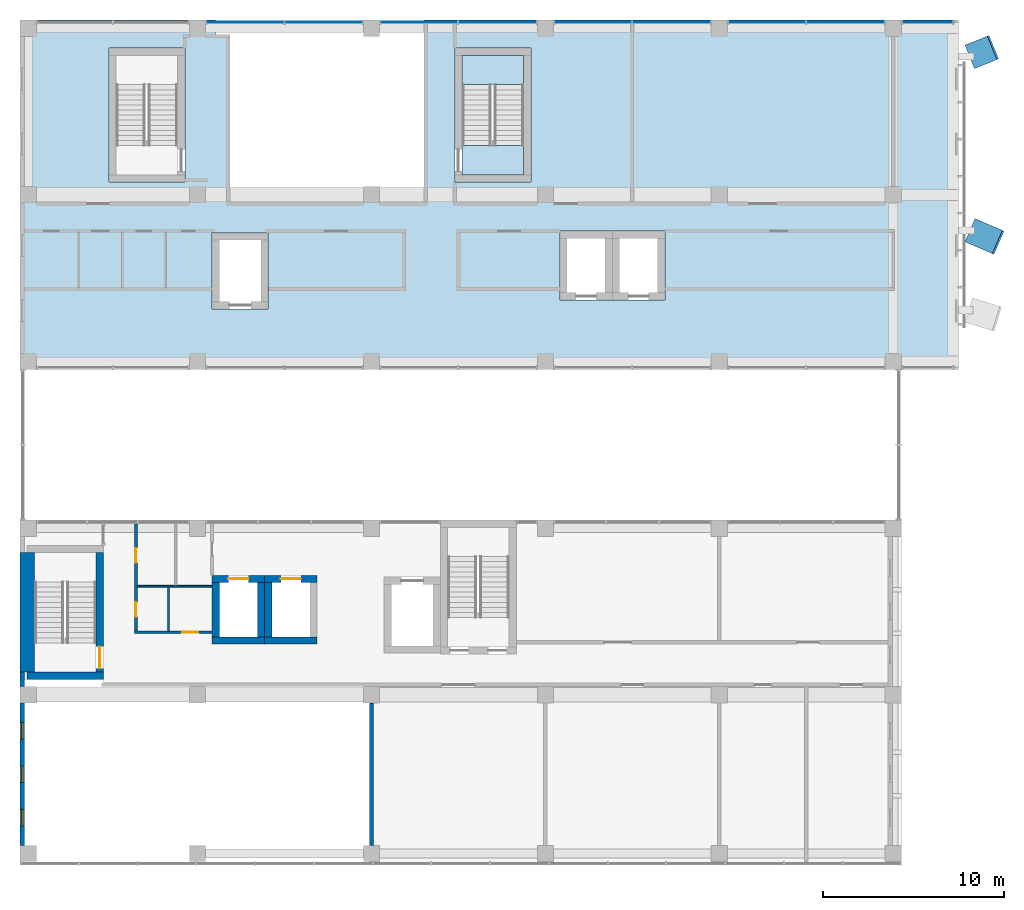
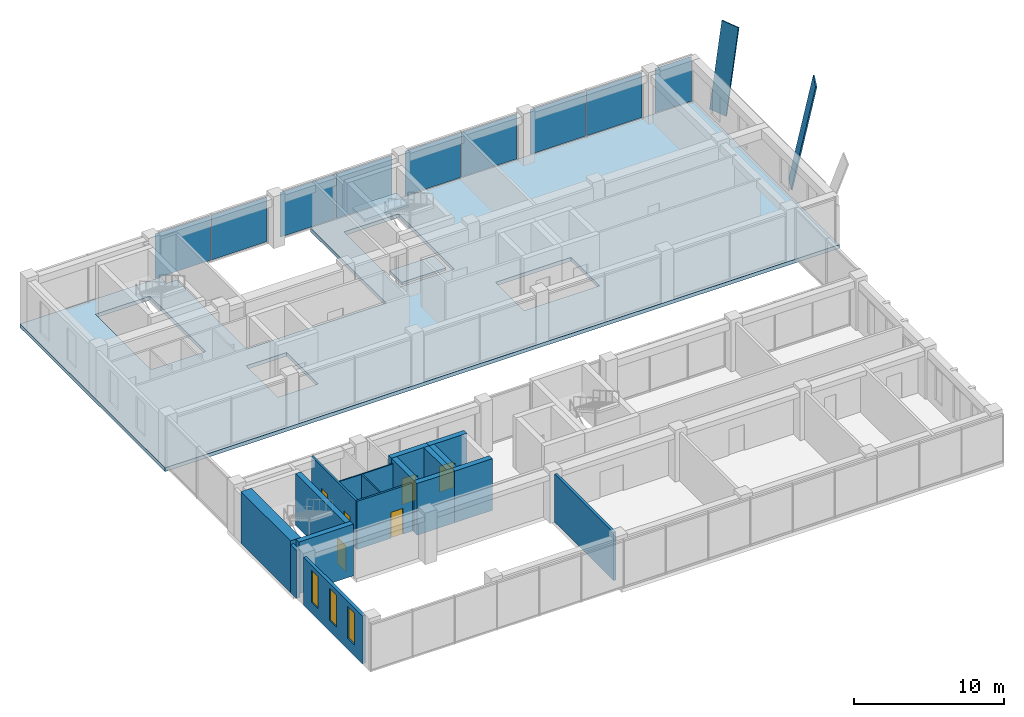
# One storey, part 27 of 37: 17 walls, 11 plates, 6 doors, 3 slabs, 3 windows, 9 openings, 6 elements without a shape of their own.
"""IFC4 building model written with IfcOpenShell, lengths in metres."""

from ifc_helpers import new_model, si_unit, direction, frame, frame_2d, origin, origin_2d, place, context, subcontext, project, spatial, polyline, rectangle, outline, extrude, material, layer, layer_set, layer_usage, material_profile, profile_set, type_object, element, fill, aggregate, save


model = new_model("IFC4")

# Units and contexts
model_context = context("Model", 3, precision=1e-05, world=origin(), true_north=direction((0.0, 1.0)))
body_context = subcontext(model_context, "Body", "Model", "MODEL_VIEW")
ifc_project = project(units=[si_unit("LENGTHUNIT", "METRE"), si_unit("AREAUNIT", "SQUARE_METRE"), si_unit("VOLUMEUNIT", "CUBIC_METRE"), si_unit("PLANEANGLEUNIT", "RADIAN"), si_unit("MASSUNIT", "GRAM", prefix="KILO")], contexts=[model_context])

# Site, building, storey
site_placement = place(None, origin())
site = spatial("IfcSite", under=ifc_project, at=site_placement, CompositionType="ELEMENT")
building_placement = place(site_placement, origin())
building = spatial("IfcBuilding", under=site, at=building_placement, Name="Nzadi Deep Aquarium and Research Tower", CompositionType="ELEMENT")
storey_placement = place(building_placement, frame((0.0, 0.0, 61.300048828125)))
storey = spatial("IfcBuildingStorey", under=building, at=storey_placement, Name="L12", CompositionType="ELEMENT", Elevation=61.300048828125)

# Plates
ifc_material_1 = material(Name="Anodised aluminium, bright", Category="aluminium")
ifc_material_profile_1 = material_profile(ifc_material_1, rectangle(XDim=1.39990234375, YDim=0.10009765625, at=origin_2d()))
ifc_profile_set_1 = profile_set([ifc_material_profile_1], Name="Anodised aluminium, bright")
plate_type_1 = type_object("IfcPlateType", Name="Fold blade anodised aluminium 1400x100, 6.6 m", PredefinedType="SHEET", material=ifc_profile_set_1)
plate_1_placement = place(storey_placement, frame((52.263427734375, 44.429931640625, 0.010009765625), z_axis=(0.187876862846, 0.076312259904, 0.979223530863), x_axis=(-0.376323223803, 0.926488440957, 0.0)))
element("IfcPlate", 1, at=plate_1_placement, inside=storey, type_object=plate_type_1, Name="FD022 fold blade EB L12", PredefinedType="SHEET", context=body_context, shape_type="SweptSolid", body=[
    extrude(rectangle(XDim=1.39990234375, YDim=0.10009765625, at=origin_2d()), origin(), (0.0, 0.0, 1.0), 6.60009765625),
])
ifc_material_2 = material(Name="Anodised aluminium, bright", Category="aluminium")
ifc_material_profile_2 = material_profile(ifc_material_2, rectangle(XDim=1.39990234375, YDim=0.10009765625, at=origin_2d()))
ifc_profile_set_2 = profile_set([ifc_material_profile_2], Name="Anodised aluminium, bright")
plate_type_2 = type_object("IfcPlateType", Name="Fold blade anodised aluminium 1400x100, 8.4 m", PredefinedType="SHEET", material=ifc_profile_set_2)
plate_2_placement = place(storey_placement, frame((52.278076171875, 34.830078125, 0.009765625), z_axis=(0.179818318194, -0.077833110736, 0.98061581637), x_axis=(0.39722859947, 0.917719695639, 0.0)))
element("IfcPlate", 2, at=plate_2_placement, inside=storey, type_object=plate_type_2, Name="FD021 fold blade EB L12", PredefinedType="SHEET", context=body_context, shape_type="SweptSolid", body=[
    extrude(rectangle(XDim=1.39990234375, YDim=0.10009765625, at=origin_2d()), origin(), (0.0, 0.0, 1.0), 8.400146484375),
])

# Curtain wall, plates
ifc_material_3 = material(Name="Aluminium unitised frame deep", Category="aluminium")
ifc_layer_1 = layer(ifc_material_3, 0.22509765625)
ifc_layer_set_1 = layer_set([ifc_layer_1], Name="Aluminium unitised frame deep")
curtain_wall_type = type_object("IfcCurtainWallType", Name="Curtain wall Unitised Deep 225", PredefinedType="NOTDEFINED", material=ifc_layer_set_1)
curtain_wall_1_placement = place(storey_placement, origin())
curtain_wall_1 = element("IfcCurtainWall", 3, at=curtain_wall_1_placement, inside=storey, type_object=curtain_wall_type, Name="Unitised curtain wall blade B north L12", PredefinedType="NOTDEFINED")
ifc_material_4 = material(Name="Glass, sage tint", Category="glass")
ifc_layer_2 = layer(ifc_material_4, 0.0400390625)
ifc_layer_set_2 = layer_set([ifc_layer_2], Name="Glass, sage tint")
plate_type_3 = type_object("IfcPlateType", Name="Glazing panel 40 Unitised Deep", PredefinedType="CURTAIN_PANEL", material=ifc_layer_set_2)
plate_3_placement = place(storey_placement, frame((12.239990234375, 46.33740234375, 0.139892578125), z_axis=(0.0, 0.0, 1.0), x_axis=(1.0, 0.0, 0.0)))
plate_3 = element("IfcPlate", 4, at=plate_3_placement, type_object=plate_type_3, Name="CW159 panel 1.1", PredefinedType="CURTAIN_PANEL", context=body_context, shape_type="SweptSolid", body=[
    extrude(rectangle(XDim=4.260009765625, YDim=0.0400390625, at=origin_2d()), origin(), (0.0, 0.0, 1.0), 3.6201171875),
])
plate_4_placement = place(storey_placement, frame((16.56005859375, 46.33740234375, 0.139892578125), z_axis=(0.0, 0.0, 1.0), x_axis=(1.0, 0.0, 0.0)))
plate_4 = element("IfcPlate", 5, at=plate_4_placement, type_object=plate_type_3, Name="CW159 panel 2.1", PredefinedType="CURTAIN_PANEL", context=body_context, shape_type="SweptSolid", body=[
    extrude(rectangle(XDim=4.260009765625, YDim=0.0400390625, at=origin_2d()), origin(), (0.0, 0.0, 1.0), 3.6201171875),
])
aggregate(curtain_wall_1, [plate_3, plate_4])

curtain_wall_2_placement = place(storey_placement, origin())
curtain_wall_2 = element("IfcCurtainWall", 6, at=curtain_wall_2_placement, inside=storey, type_object=curtain_wall_type, Name="Unitised curtain wall blade B north L12", PredefinedType="NOTDEFINED")
plate_5_placement = place(storey_placement, frame((21.840087890625, 46.33740234375, 0.139892578125), z_axis=(0.0, 0.0, 1.0), x_axis=(1.0, 0.0, 0.0)))
plate_5 = element("IfcPlate", 7, at=plate_5_placement, type_object=plate_type_3, Name="CW160 panel 1.1", PredefinedType="CURTAIN_PANEL", context=body_context, shape_type="SweptSolid", body=[
    extrude(rectangle(XDim=4.260009765625, YDim=0.0400390625, at=origin_2d()), origin(), (0.0, 0.0, 1.0), 3.6201171875),
])
plate_6_placement = place(storey_placement, frame((26.159912109375, 46.33740234375, 0.139892578125), z_axis=(0.0, 0.0, 1.0), x_axis=(1.0, 0.0, 0.0)))
plate_6 = element("IfcPlate", 8, at=plate_6_placement, type_object=plate_type_3, Name="CW160 panel 2.1", PredefinedType="CURTAIN_PANEL", context=body_context, shape_type="SweptSolid", body=[
    extrude(rectangle(XDim=4.260009765625, YDim=0.0400390625, at=origin_2d()), origin(), (0.0, 0.0, 1.0), 3.6201171875),
])
aggregate(curtain_wall_2, [plate_5, plate_6])

curtain_wall_3_placement = place(storey_placement, origin())
curtain_wall_3 = element("IfcCurtainWall", 9, at=curtain_wall_3_placement, inside=storey, type_object=curtain_wall_type, Name="Unitised curtain wall blade B north L12", PredefinedType="NOTDEFINED")
plate_7_placement = place(storey_placement, frame((31.43994140625, 46.33740234375, 0.139892578125), z_axis=(0.0, 0.0, 1.0), x_axis=(1.0, 0.0, 0.0)))
plate_7 = element("IfcPlate", 10, at=plate_7_placement, type_object=plate_type_3, Name="CW161 panel 1.1", PredefinedType="CURTAIN_PANEL", context=body_context, shape_type="SweptSolid", body=[
    extrude(rectangle(XDim=4.260009765625, YDim=0.0400390625, at=origin_2d()), origin(), (0.0, 0.0, 1.0), 3.6201171875),
])
plate_8_placement = place(storey_placement, frame((35.760009765625, 46.33740234375, 0.139892578125), z_axis=(0.0, 0.0, 1.0), x_axis=(1.0, 0.0, 0.0)))
plate_8 = element("IfcPlate", 11, at=plate_8_placement, type_object=plate_type_3, Name="CW161 panel 2.1", PredefinedType="CURTAIN_PANEL", context=body_context, shape_type="SweptSolid", body=[
    extrude(rectangle(XDim=4.260009765625, YDim=0.0400390625, at=origin_2d()), origin(), (0.0, 0.0, 1.0), 3.6201171875),
])
aggregate(curtain_wall_3, [plate_7, plate_8])

curtain_wall_4_placement = place(storey_placement, origin())
curtain_wall_4 = element("IfcCurtainWall", 12, at=curtain_wall_4_placement, inside=storey, type_object=curtain_wall_type, Name="Unitised curtain wall blade B north L12", PredefinedType="NOTDEFINED")
plate_9_placement = place(storey_placement, frame((41.0400390625, 46.33740234375, 0.139892578125), z_axis=(0.0, 0.0, 1.0), x_axis=(1.0, 0.0, 0.0)))
plate_9 = element("IfcPlate", 13, at=plate_9_placement, type_object=plate_type_3, Name="CW162 panel 1.1", PredefinedType="CURTAIN_PANEL", context=body_context, shape_type="SweptSolid", body=[
    extrude(rectangle(XDim=4.260009765625, YDim=0.0400390625, at=origin_2d()), origin(), (0.0, 0.0, 1.0), 3.6201171875),
])
plate_10_placement = place(storey_placement, frame((45.360107421875, 46.33740234375, 0.139892578125), z_axis=(0.0, 0.0, 1.0), x_axis=(1.0, 0.0, 0.0)))
plate_10 = element("IfcPlate", 14, at=plate_10_placement, type_object=plate_type_3, Name="CW162 panel 2.1", PredefinedType="CURTAIN_PANEL", context=body_context, shape_type="SweptSolid", body=[
    extrude(rectangle(XDim=4.260009765625, YDim=0.0400390625, at=origin_2d()), origin(), (0.0, 0.0, 1.0), 3.6201171875),
])
aggregate(curtain_wall_4, [plate_9, plate_10])

# Curtain wall, plate
curtain_wall_5_placement = place(storey_placement, origin())
curtain_wall_5 = element("IfcCurtainWall", 15, at=curtain_wall_5_placement, inside=storey, type_object=curtain_wall_type, Name="Unitised curtain wall blade B north L12", PredefinedType="NOTDEFINED")
plate_11_placement = place(storey_placement, frame((49.89990234375, 46.33740234375, 0.139892578125), z_axis=(0.0, 0.0, 1.0), x_axis=(1.0, 0.0, 0.0)))
plate_11 = element("IfcPlate", 16, at=plate_11_placement, type_object=plate_type_3, Name="CW163 panel 1.1", PredefinedType="CURTAIN_PANEL", context=body_context, shape_type="SweptSolid", body=[
    extrude(rectangle(XDim=2.780029296875, YDim=0.0400390625, at=origin_2d()), origin(), (0.0, 0.0, 1.0), 3.6201171875),
])
aggregate(curtain_wall_5, [plate_11])

# Stair, slabs
ifc_material_5 = material(Name="Concrete C35/45", Category="concrete")
stair_type = type_object("IfcStairType", Name="STAIR RETURN 3000", PredefinedType="NOTDEFINED", material=ifc_material_5)
stair_placement = place(storey_placement, origin())
stair = element("IfcStair", 17, at=stair_placement, inside=storey, type_object=stair_type, Name="Stair ST-Z1-NE L12", PredefinedType="HALF_TURN_STAIR")
ifc_material_6 = material(Name="Concrete C35/45", Category="concrete")
ifc_layer_3 = layer(ifc_material_6, 0.199951171875)
ifc_layer_set_3 = layer_set([ifc_layer_3], Name="Concrete C35/45")
slab_type_1 = type_object("IfcSlabType", Name="LANDING 200", PredefinedType="LANDING", material=ifc_layer_set_3)
slab_1_placement = place(storey_placement, frame((0.0, 0.0, -0.199951171875)))
slab_1 = element("IfcSlab", 18, at=slab_1_placement, type_object=slab_type_1, Name="ST-Z1-NE landing 1", PredefinedType="LANDING", context=body_context, shape_type="SweptSolid", body=[
    extrude(outline(polyline([(24.199951171875, 37.89990234375), (27.60009765625, 37.89990234375), (27.60009765625, 39.52001953125), (24.199951171875, 39.52001953125), (24.199951171875, 37.89990234375)])), origin(), (0.0, 0.0, 1.0), 0.199951171875),
])
slab_2_placement = place(storey_placement, frame((0.0, 0.0, 1.89990234375)))
slab_2 = element("IfcSlab", 19, at=slab_2_placement, type_object=slab_type_1, Name="ST-Z1-NE landing 2", PredefinedType="LANDING", context=body_context, shape_type="SweptSolid", body=[
    extrude(outline(polyline([(24.199951171875, 42.8798828125), (27.60009765625, 42.8798828125), (27.60009765625, 44.5), (24.199951171875, 44.5), (24.199951171875, 42.8798828125)])), origin(), (0.0, 0.0, 1.0), 0.199951171875),
])
aggregate(stair, [slab_1, slab_2])

# Slab
ifc_material_7 = material(Name="Concrete C35/45", Category="concrete")
ifc_layer_4 = layer(ifc_material_7, 0.300048828125)
ifc_layer_set_4 = layer_set([ifc_layer_4], Name="Concrete C35/45")
slab_type_2 = type_object("IfcSlabType", Name="RC floor slab 300", PredefinedType="FLOOR", material=ifc_layer_set_4)
slab_3_placement = place(storey_placement, frame((0.0, 0.0, -0.300048828125)))
element("IfcSlab", 20, at=slab_3_placement, inside=storey, type_object=slab_type_2, Name="Tower floor B L12", PredefinedType="FLOOR", context=body_context, shape_type="SweptSolid", body=[
    extrude(outline(polyline([(-0.199462890625, 46.449951171875), (-0.199462890625, 27.14990234375), (51.60009765625, 27.14990234375), (51.60009765625, 46.449951171875), (22.10009765625, 46.449951171875), (22.10009765625, 36.39990234375), (11.39990234375, 36.39990234375), (11.39990234375, 45.64990234375), (10.60009765625, 45.64990234375), (10.60009765625, 46.449951171875), (-0.199462890625, 46.449951171875)]), holes=[polyline([(4.699951171875, 44.89990234375), (8.89990234375, 44.89990234375), (8.89990234375, 37.5), (4.699951171875, 37.5), (4.699951171875, 44.89990234375)]), polyline([(28.0, 44.89990234375), (28.0, 37.5), (23.800048828125, 37.5), (23.800048828125, 44.89990234375), (28.0, 44.89990234375)]), polyline([(13.5, 30.5), (10.39990234375, 30.5), (10.39990234375, 34.699951171875), (13.5, 34.699951171875), (13.5, 30.5)]), polyline([(29.60009765625, 31.0), (29.60009765625, 34.800048828125), (32.5, 34.800048828125), (35.39990234375, 34.800048828125), (35.39990234375, 31.0), (32.5, 31.0), (29.60009765625, 31.0)])]), origin(), (0.0, 0.0, 1.0), 0.300048828125),
])

# Wall
ifc_material_8 = material(Name="Concrete C35/45", Category="concrete")
ifc_layer_5 = layer(ifc_material_8, 0.14990234375, Category="cladding")
ifc_material_9 = material(Name="Mineral wool insulation")
ifc_layer_6 = layer(ifc_material_9, 0.070068359375, Category="insulation")
ifc_material_10 = material(Name="Gypsum board lining")
ifc_layer_7 = layer(ifc_material_10, 0.030029296875, Category="lining")
ifc_layer_set_5 = layer_set([ifc_layer_5, ifc_layer_6, ifc_layer_7], Name="Concrete C35/45, Mineral wool insulation, Gypsum board lining")
ifc_layer_usage_1 = layer_usage(ifc_layer_set_5, "AXIS2", "POSITIVE", -0.125)
wall_type_1 = type_object("IfcWallType", Name="End wall board-formed concrete 250", PredefinedType="ELEMENTEDWALL", material=ifc_layer_set_5)
wall_1_placement = place(storey_placement, frame((-0.074462890625, 10.449951171875, 0.0), z_axis=(0.0, 0.0, 1.0), x_axis=(0.0, -1.0, 0.0)))
element("IfcWall", 21, at=wall_1_placement, inside=storey, type_object=wall_type_1, material=ifc_layer_usage_1, Name="End wall blade A west L12", PredefinedType="ELEMENTEDWALL", context=body_context, shape_type="SweptSolid", body=[
    extrude(rectangle(XDim=0.800048828125, YDim=0.25, at=frame_2d((0.39990234375, 0.0))), origin(), (0.0, 0.0, 1.0), 3.89990234375),
])

# Wall, openings, windows
ifc_material_11 = material(Name="Graphite aluminium shingle", Category="aluminium")
ifc_layer_8 = layer(ifc_material_11, 0.050048828125, Category="cladding")
ifc_layer_9 = layer(ifc_material_8, 0.10009765625, Category="cladding")
ifc_layer_10 = layer(ifc_material_9, 0.070068359375, Category="insulation")
ifc_layer_11 = layer(ifc_material_10, 0.030029296875, Category="lining")
ifc_layer_set_6 = layer_set([ifc_layer_8, ifc_layer_9, ifc_layer_10, ifc_layer_11], Name="Graphite aluminium shingle, Concrete C35/45, Mineral wool insulation, Gypsum board lining")
ifc_layer_usage_2 = layer_usage(ifc_layer_set_6, "AXIS2", "POSITIVE", -0.125)
wall_type_2 = type_object("IfcWallType", Name="End wall shingle over board-formed concrete 250", PredefinedType="ELEMENTEDWALL", material=ifc_layer_set_6)
wall_2_placement = place(storey_placement, frame((-0.074462890625, 8.75, 0.0), z_axis=(0.0, 0.0, 1.0), x_axis=(0.0, -1.0, 0.0)))
wall_2 = element("IfcWall", 22, at=wall_2_placement, inside=storey, type_object=wall_type_2, material=ifc_layer_usage_2, Name="End wall blade A west L12", PredefinedType="ELEMENTEDWALL", context=body_context, shape_type="SweptSolid", body=[
    extrude(rectangle(XDim=7.85009765625, YDim=0.25, at=frame_2d((3.925048828125, 0.0))), origin(), (0.0, 0.0, 1.0), 3.89990234375),
])
opening_1_placement = place(wall_2_placement, frame((5.875, 0.0, 0.89990234375)))
opening_1 = element("IfcOpeningElement", 23, at=opening_1_placement, cuts=wall_2, Name="Opening WN02", PredefinedType="OPENING", context=body_context, shape_type="SweptSolid", body=[
    extrude(rectangle(XDim=0.89990234375, YDim=2.60009765625, at=frame_2d((0.449951171875, 1.300048828125))), frame((0.0, 0.135009765625, 0.0), z_axis=(0.0, -1.0, 0.0), x_axis=(1.0, 0.0, 0.0)), (0.0, 0.0, 1.0), 0.27001953125),
])
opening_2_placement = place(wall_2_placement, frame((3.47509765625, 0.0, 0.89990234375)))
opening_2 = element("IfcOpeningElement", 24, at=opening_2_placement, cuts=wall_2, Name="Opening WN02", PredefinedType="OPENING", context=body_context, shape_type="SweptSolid", body=[
    extrude(rectangle(XDim=0.89990234375, YDim=2.60009765625, at=frame_2d((0.449951171875, 1.300048828125))), frame((0.0, 0.135009765625, 0.0), z_axis=(0.0, -1.0, 0.0), x_axis=(1.0, 0.0, 0.0)), (0.0, 0.0, 1.0), 0.27001953125),
])
opening_3_placement = place(wall_2_placement, frame((1.074951171875, 0.0, 0.89990234375)))
opening_3 = element("IfcOpeningElement", 25, at=opening_3_placement, cuts=wall_2, Name="Opening WN02", PredefinedType="OPENING", context=body_context, shape_type="SweptSolid", body=[
    extrude(rectangle(XDim=0.89990234375, YDim=2.60009765625, at=frame_2d((0.449951171875, 1.300048828125))), frame((0.0, 0.135009765625, 0.0), z_axis=(0.0, -1.0, 0.0), x_axis=(1.0, 0.0, 0.0)), (0.0, 0.0, 1.0), 0.27001953125),
])
ifc_material_12 = material(Name="Aluminium window, sage tint glazing", Category="aluminium")
window_type = type_object("IfcWindowType", Name="Slot window 900x2600 sill 900", PartitioningType="SINGLE_PANEL", PredefinedType="WINDOW", material=ifc_material_12)
window_1_placement = place(opening_1_placement, origin())
window_1 = element("IfcWindow", 26, at=window_1_placement, inside=storey, type_object=window_type, Name="Slot window L12 AW", OverallHeight=2.60009765625, OverallWidth=0.89990234375, PartitioningType="SINGLE_PANEL", PredefinedType="WINDOW", context=body_context, shape_type="SweptSolid", body=[
    extrude(rectangle(XDim=0.89990234375, YDim=2.60009765625, at=frame_2d((0.449951171875, 1.300048828125))), frame((0.0, 0.030029296875, 0.0), z_axis=(0.0, -1.0, 0.0), x_axis=(1.0, 0.0, 0.0)), (0.0, 0.0, 1.0), 0.06005859375),
])
fill(opening_1, window_1)
window_2_placement = place(opening_2_placement, origin())
window_2 = element("IfcWindow", 27, at=window_2_placement, inside=storey, type_object=window_type, Name="Slot window L12 AW", OverallHeight=2.60009765625, OverallWidth=0.89990234375, PartitioningType="SINGLE_PANEL", PredefinedType="WINDOW", context=body_context, shape_type="SweptSolid", body=[
    extrude(rectangle(XDim=0.89990234375, YDim=2.60009765625, at=frame_2d((0.449951171875, 1.300048828125))), frame((0.0, 0.030029296875, 0.0), z_axis=(0.0, -1.0, 0.0), x_axis=(1.0, 0.0, 0.0)), (0.0, 0.0, 1.0), 0.06005859375),
])
fill(opening_2, window_2)
window_3_placement = place(opening_3_placement, origin())
window_3 = element("IfcWindow", 28, at=window_3_placement, inside=storey, type_object=window_type, Name="Slot window L12 AW", OverallHeight=2.60009765625, OverallWidth=0.89990234375, PartitioningType="SINGLE_PANEL", PredefinedType="WINDOW", context=body_context, shape_type="SweptSolid", body=[
    extrude(rectangle(XDim=0.89990234375, YDim=2.60009765625, at=frame_2d((0.449951171875, 1.300048828125))), frame((0.0, 0.030029296875, 0.0), z_axis=(0.0, -1.0, 0.0), x_axis=(1.0, 0.0, 0.0)), (0.0, 0.0, 1.0), 0.06005859375),
])
fill(opening_3, window_3)

# Walls
ifc_material_13 = material(Name="Blockwork masonry", Category="masonry")
ifc_layer_12 = layer(ifc_material_13, 0.10009765625)
ifc_layer_set_7 = layer_set([ifc_layer_12], Name="Blockwork masonry")
wall_type_3 = type_object("IfcWallType", Name="Partition 100 EI 30", PredefinedType="PARTITIONING", material=ifc_layer_set_7)
wall_3_placement = place(storey_placement, frame((6.27490234375, 15.199951171875, 0.0), z_axis=(0.0, 0.0, 1.0), x_axis=(1.0, 0.0, 0.0)))
element("IfcWall", 29, at=wall_3_placement, inside=storey, type_object=wall_type_3, Name="W-Z1-L12-P010", PredefinedType="PARTITIONING", context=body_context, shape_type="SweptSolid", body=[
    extrude(rectangle(XDim=4.119140625, YDim=0.10009765625, at=frame_2d((2.0595703125, 0.0))), origin(), (0.0, 0.0, 1.0), 3.89990234375),
])
wall_4_placement = place(storey_placement, frame((8.0, 12.72509765625, 0.0), z_axis=(0.0, 0.0, 1.0), x_axis=(0.0, 1.0, 0.0)))
element("IfcWall", 30, at=wall_4_placement, inside=storey, type_object=wall_type_3, Name="W-Z1-L12-P012", PredefinedType="PARTITIONING", context=body_context, shape_type="SweptSolid", body=[
    extrude(rectangle(XDim=2.4248046875, YDim=0.10009765625, at=frame_2d((1.21240234375, 0.0))), origin(), (0.0, 0.0, 1.0), 3.89990234375),
])

# Wall, opening, door
ifc_material_14 = material(Name="Blockwork masonry", Category="masonry")
ifc_layer_13 = layer(ifc_material_14, 0.14990234375)
ifc_layer_set_8 = layer_set([ifc_layer_13], Name="Blockwork masonry")
wall_type_4 = type_object("IfcWallType", Name="Partition 150 EI 60", PredefinedType="PARTITIONING", material=ifc_layer_set_8)
wall_5_placement = place(storey_placement, frame((6.125, 12.64990234375, 0.0), z_axis=(0.0, 0.0, 1.0), x_axis=(1.0, 0.0, 0.0)))
wall_5 = element("IfcWall", 31, at=wall_5_placement, inside=storey, type_object=wall_type_4, Name="W-Z1-L12-P008", PredefinedType="PARTITIONING", context=body_context, shape_type="SweptSolid", body=[
    extrude(rectangle(XDim=4.26904296875, YDim=0.14990234375, at=frame_2d((2.134521484375, 0.0))), origin(), (0.0, 0.0, 1.0), 3.89990234375),
])
opening_4_placement = place(wall_5_placement, frame((2.625, 0.0, 0.0)))
opening_4 = element("IfcOpeningElement", 32, at=opening_4_placement, cuts=wall_5, Name="Opening D131003", PredefinedType="OPENING", context=body_context, shape_type="SweptSolid", body=[
    extrude(rectangle(XDim=0.89990234375, YDim=2.10009765625, at=frame_2d((0.449951171875, 1.050048828125))), frame((0.0, 0.0849609375, 0.0), z_axis=(0.0, -1.0, 0.0), x_axis=(1.0, 0.0, 0.0)), (0.0, 0.0, 1.0), 0.169921875),
])
ifc_material_15 = material(Name="Fire-rated steel door", Category="steel")
ifc_layer_14 = layer(ifc_material_15, 0.050048828125)
ifc_layer_set_9 = layer_set([ifc_layer_14], Name="Fire-rated steel door")
door_type_1 = type_object("IfcDoorType", Name="Door 900x2100 EI 60 single", OperationType="SINGLE_SWING_LEFT", PredefinedType="DOOR", material=ifc_layer_set_9)
door_1_placement = place(opening_4_placement, origin())
door_1 = element("IfcDoor", 33, at=door_1_placement, inside=storey, type_object=door_type_1, Name="D131003", OperationType="SINGLE_SWING_RIGHT", OverallHeight=2.10009765625, OverallWidth=0.89990234375, PredefinedType="DOOR", context=body_context, shape_type="SweptSolid", body=[
    extrude(rectangle(XDim=0.89990234375, YDim=2.10009765625, at=frame_2d((0.449951171875, 1.050048828125))), frame((0.0, 0.02490234375, 0.0), z_axis=(0.0, -1.0, 0.0), x_axis=(1.0, 0.0, 0.0)), (0.0, 0.0, 1.0), 0.050048828125),
])
fill(opening_4, door_1)

# Wall, openings, doors
wall_6_placement = place(storey_placement, frame((6.199951171875, 12.72509765625, 0.0), z_axis=(0.0, 0.0, 1.0), x_axis=(0.0, 1.0, 0.0)))
wall_6 = element("IfcWall", 34, at=wall_6_placement, inside=storey, type_object=wall_type_4, Name="W-Z1-L12-P009", PredefinedType="PARTITIONING", context=body_context, shape_type="SweptSolid", body=[
    extrude(rectangle(XDim=5.9189453125, YDim=0.14990234375, at=frame_2d((2.95947265625, 0.0))), origin(), (0.0, 0.0, 1.0), 3.89990234375),
])
opening_5_placement = place(wall_6_placement, frame((0.77490234375, 0.0, 0.0)))
opening_5 = element("IfcOpeningElement", 35, at=opening_5_placement, cuts=wall_6, Name="Opening D131002", PredefinedType="OPENING", context=body_context, shape_type="SweptSolid", body=[
    extrude(rectangle(XDim=0.800048828125, YDim=2.10009765625, at=frame_2d((0.39990234375, 1.050048828125))), frame((0.0, 0.0849609375, 0.0), z_axis=(0.0, -1.0, 0.0), x_axis=(1.0, 0.0, 0.0)), (0.0, 0.0, 1.0), 0.169921875),
])
opening_6_placement = place(wall_6_placement, frame((3.77490234375, 0.0, 0.0)))
opening_6 = element("IfcOpeningElement", 36, at=opening_6_placement, cuts=wall_6, Name="Opening D131004", PredefinedType="OPENING", context=body_context, shape_type="SweptSolid", body=[
    extrude(rectangle(XDim=0.800048828125, YDim=2.10009765625, at=frame_2d((0.39990234375, 1.050048828125))), frame((0.0, 0.0849609375, 0.0), z_axis=(0.0, -1.0, 0.0), x_axis=(1.0, 0.0, 0.0)), (0.0, 0.0, 1.0), 0.169921875),
])
ifc_material_16 = material(Name="Fire-rated steel door", Category="steel")
ifc_layer_15 = layer(ifc_material_16, 0.050048828125)
ifc_layer_set_10 = layer_set([ifc_layer_15], Name="Fire-rated steel door")
door_type_2 = type_object("IfcDoorType", Name="Door 800x2100 EI 60 single", OperationType="SINGLE_SWING_LEFT", PredefinedType="DOOR", material=ifc_layer_set_10)
door_2_placement = place(opening_5_placement, origin())
door_2 = element("IfcDoor", 37, at=door_2_placement, inside=storey, type_object=door_type_2, Name="D131002", OperationType="SINGLE_SWING_LEFT", OverallHeight=2.10009765625, OverallWidth=0.800048828125, PredefinedType="DOOR", context=body_context, shape_type="SweptSolid", body=[
    extrude(rectangle(XDim=0.800048828125, YDim=2.10009765625, at=frame_2d((0.39990234375, 1.050048828125))), frame((0.0, 0.02490234375, 0.0), z_axis=(0.0, -1.0, 0.0), x_axis=(1.0, 0.0, 0.0)), (0.0, 0.0, 1.0), 0.050048828125),
])
fill(opening_5, door_2)
door_3_placement = place(opening_6_placement, origin())
door_3 = element("IfcDoor", 38, at=door_3_placement, inside=storey, type_object=door_type_2, Name="D131004", OperationType="SINGLE_SWING_LEFT", OverallHeight=2.10009765625, OverallWidth=0.800048828125, PredefinedType="DOOR", context=body_context, shape_type="SweptSolid", body=[
    extrude(rectangle(XDim=0.800048828125, YDim=2.10009765625, at=frame_2d((0.39990234375, 1.050048828125))), frame((0.0, 0.02490234375, 0.0), z_axis=(0.0, -1.0, 0.0), x_axis=(1.0, 0.0, 0.0)), (0.0, 0.0, 1.0), 0.050048828125),
])
fill(opening_6, door_3)

# Walls
ifc_material_17 = material(Name="Blockwork masonry", Category="masonry")
ifc_layer_16 = layer(ifc_material_17, 0.199951171875)
ifc_layer_set_11 = layer_set([ifc_layer_16], Name="Blockwork masonry")
wall_type_5 = type_object("IfcWallType", Name="Partition 200 EI 120", PredefinedType="PARTITIONING", material=ifc_layer_set_11)
wall_7_placement = place(storey_placement, frame((19.199951171875, 0.89990234375, 0.0), z_axis=(0.0, 0.0, 1.0), x_axis=(0.0, 1.0, 0.0)))
element("IfcWall", 39, at=wall_7_placement, inside=storey, type_object=wall_type_5, Name="W-Z1-L12-P023", PredefinedType="PARTITIONING", context=body_context, shape_type="SweptSolid", body=[
    extrude(rectangle(XDim=7.85009765625, YDim=0.199951171875, at=frame_2d((3.925048828125, 0.0))), origin(), (0.0, 0.0, 1.0), 3.89990234375),
])
ifc_material_18 = material(Name="Concrete C35/45", Category="concrete")
ifc_layer_17 = layer(ifc_material_18, 0.39990234375)
ifc_layer_set_12 = layer_set([ifc_layer_17], Name="Concrete C35/45")
wall_type_6 = type_object("IfcWallType", Name="RC core wall 400", PredefinedType="SHEAR", material=ifc_layer_set_12)
wall_8_placement = place(storey_placement, frame((0.199951171875, 10.25, 0.0), z_axis=(0.0, 0.0, 1.0), x_axis=(1.0, 0.0, 0.0)))
element("IfcWall", 40, at=wall_8_placement, inside=storey, type_object=wall_type_6, Name="W-CORE-ST-Z1-SW-L12-S", PredefinedType="SHEAR", context=body_context, shape_type="SweptSolid", body=[
    extrude(rectangle(XDim=4.199951171875, YDim=0.39990234375, at=frame_2d((2.10009765625, 0.0))), origin(), (0.0, 0.0, 1.0), 4.199951171875),
])

# Wall, opening, door
wall_9_placement = place(storey_placement, frame((4.199951171875, 10.449951171875, 0.0), z_axis=(0.0, 0.0, 1.0), x_axis=(0.0, 1.0, 0.0)))
wall_9 = element("IfcWall", 41, at=wall_9_placement, inside=storey, type_object=wall_type_6, Name="W-CORE-ST-Z1-SW-L12-E", PredefinedType="SHEAR", context=body_context, shape_type="SweptSolid", body=[
    extrude(rectangle(XDim=6.60009765625, YDim=0.39990234375, at=frame_2d((3.300048828125, 0.0))), origin(), (0.0, 0.0, 1.0), 4.199951171875),
])
opening_7_placement = place(wall_9_placement, frame((0.2099609375, 0.0, 0.0)))
opening_7 = element("IfcOpeningElement", 42, at=opening_7_placement, cuts=wall_9, Name="Opening DS-Z1-SW-L12", PredefinedType="OPENING", context=body_context, shape_type="SweptSolid", body=[
    extrude(rectangle(XDim=1.199951171875, YDim=2.10009765625, at=frame_2d((0.60009765625, 1.050048828125))), frame((0.0, 0.2099609375, 0.0), z_axis=(0.0, -1.0, 0.0), x_axis=(1.0, 0.0, 0.0)), (0.0, 0.0, 1.0), 0.419921875),
])
ifc_material_19 = material(Name="Steel, powder coated", Category="steel")
door_type_3 = type_object("IfcDoorType", Name="STAIR DOOR 1200x2100 EI 60", OperationType="SINGLE_SWING_LEFT", PredefinedType="DOOR", material=ifc_material_19)
door_4_placement = place(opening_7_placement, origin())
door_4 = element("IfcDoor", 43, at=door_4_placement, inside=storey, type_object=door_type_3, Name="Stair door ST-Z1-SW L12", OperationType="SINGLE_SWING_RIGHT", OverallHeight=2.10009765625, OverallWidth=1.199951171875, PredefinedType="DOOR", context=body_context, shape_type="SweptSolid", body=[
    extrude(rectangle(XDim=1.199951171875, YDim=2.10009765625, at=frame_2d((0.60009765625, 1.050048828125))), frame((0.0, 0.02490234375, 0.0), z_axis=(0.0, -1.0, 0.0), x_axis=(1.0, 0.0, 0.0)), (0.0, 0.0, 1.0), 0.050048828125),
])
fill(opening_7, door_4)

# Wall
wall_10_placement = place(storey_placement, frame((10.39990234375, 12.199951171875, 0.0), z_axis=(0.0, 0.0, 1.0), x_axis=(1.0, 0.0, 0.0)))
element("IfcWall", 44, at=wall_10_placement, inside=storey, type_object=wall_type_6, Name="W-CORE-TL1-L12-S", PredefinedType="SHEAR", context=body_context, shape_type="SweptSolid", body=[
    extrude(rectangle(XDim=2.900146484375, YDim=0.39990234375, at=frame_2d((1.4501953125, 0.0))), origin(), (0.0, 0.0, 1.0), 4.199951171875),
])

# Wall, opening, door
wall_11_placement = place(storey_placement, frame((10.39990234375, 15.60009765625, 0.0), z_axis=(0.0, 0.0, 1.0), x_axis=(1.0, 0.0, 0.0)))
wall_11 = element("IfcWall", 45, at=wall_11_placement, inside=storey, type_object=wall_type_6, Name="W-CORE-TL1-L12-N", PredefinedType="SHEAR", context=body_context, shape_type="SweptSolid", body=[
    extrude(rectangle(XDim=2.900146484375, YDim=0.39990234375, at=frame_2d((1.4501953125, 0.0))), origin(), (0.0, 0.0, 1.0), 4.199951171875),
])
opening_8_placement = place(wall_11_placement, frame((0.89990234375, 0.0, 0.0)))
opening_8 = element("IfcOpeningElement", 46, at=opening_8_placement, cuts=wall_11, Name="Opening LD-TL1-L12", PredefinedType="OPENING", context=body_context, shape_type="SweptSolid", body=[
    extrude(rectangle(XDim=1.10009765625, YDim=2.10009765625, at=frame_2d((0.550048828125, 1.050048828125))), frame((0.0, 0.2099609375, 0.0), z_axis=(0.0, -1.0, 0.0), x_axis=(1.0, 0.0, 0.0)), (0.0, 0.0, 1.0), 0.419921875),
])
ifc_material_20 = material(Name="Stainless steel 1.4301", Category="steel")
door_type_4 = type_object("IfcDoorType", Name="LANDING DOOR 1100x2100", OperationType="DOUBLE_DOOR_SLIDING", PredefinedType="DOOR", material=ifc_material_20)
door_5_placement = place(opening_8_placement, origin())
door_5 = element("IfcDoor", 47, at=door_5_placement, inside=storey, type_object=door_type_4, Name="Landing door TL1 L12", OperationType="DOUBLE_DOOR_SLIDING", OverallHeight=2.10009765625, OverallWidth=1.10009765625, PredefinedType="DOOR", context=body_context, shape_type="SweptSolid", body=[
    extrude(rectangle(XDim=1.10009765625, YDim=2.10009765625, at=frame_2d((0.550048828125, 1.050048828125))), frame((0.0, 0.02490234375, 0.0), z_axis=(0.0, -1.0, 0.0), x_axis=(1.0, 0.0, 0.0)), (0.0, 0.0, 1.0), 0.050048828125),
])
fill(opening_8, door_5)

# Walls
for number, where, z_axis, x_axis, name in (
    (48, (10.60009765625, 12.39990234375, 0.0), (0.0, 0.0, 1.0), (0.0, 1.0, 0.0), "W-CORE-TL1-L12-W"),
    (49, (13.10009765625, 12.39990234375, 0.0), (0.0, 0.0, 1.0), (0.0, 1.0, 0.0), "W-CORE-TL1-L12-E"),
):
    element("IfcWall", number, at=place(storey_placement, frame(where, z_axis=z_axis, x_axis=x_axis)), inside=storey, type_object=wall_type_6, Name=name, PredefinedType="SHEAR", context=body_context, shape_type="SweptSolid", body=[
        extrude(rectangle(XDim=3.0, YDim=0.39990234375, at=frame_2d((1.5, 0.0))), origin(), (0.0, 0.0, 1.0), 4.199951171875),
    ])
wall_12_placement = place(storey_placement, frame((13.300048828125, 12.199951171875, 0.0), z_axis=(0.0, 0.0, 1.0), x_axis=(1.0, 0.0, 0.0)))
element("IfcWall", 50, at=wall_12_placement, inside=storey, type_object=wall_type_6, Name="W-CORE-TL2-L12-S", PredefinedType="SHEAR", context=body_context, shape_type="SweptSolid", body=[
    extrude(rectangle(XDim=2.89990234375, YDim=0.39990234375, at=frame_2d((1.449951171875, 0.0))), origin(), (0.0, 0.0, 1.0), 4.199951171875),
])

# Wall, opening, door
wall_13_placement = place(storey_placement, frame((13.300048828125, 15.60009765625, 0.0), z_axis=(0.0, 0.0, 1.0), x_axis=(1.0, 0.0, 0.0)))
wall_13 = element("IfcWall", 51, at=wall_13_placement, inside=storey, type_object=wall_type_6, Name="W-CORE-TL2-L12-N", PredefinedType="SHEAR", context=body_context, shape_type="SweptSolid", body=[
    extrude(rectangle(XDim=2.89990234375, YDim=0.39990234375, at=frame_2d((1.449951171875, 0.0))), origin(), (0.0, 0.0, 1.0), 4.199951171875),
])
opening_9_placement = place(wall_13_placement, frame((0.89990234375, 0.0, 0.0)))
opening_9 = element("IfcOpeningElement", 52, at=opening_9_placement, cuts=wall_13, Name="Opening LD-TL2-L12", PredefinedType="OPENING", context=body_context, shape_type="SweptSolid", body=[
    extrude(rectangle(XDim=1.10009765625, YDim=2.10009765625, at=frame_2d((0.550048828125, 1.050048828125))), frame((0.0, 0.2099609375, 0.0), z_axis=(0.0, -1.0, 0.0), x_axis=(1.0, 0.0, 0.0)), (0.0, 0.0, 1.0), 0.419921875),
])
door_6_placement = place(opening_9_placement, origin())
door_6 = element("IfcDoor", 53, at=door_6_placement, inside=storey, type_object=door_type_4, Name="Landing door TL2 L12", OperationType="DOUBLE_DOOR_SLIDING", OverallHeight=2.10009765625, OverallWidth=1.10009765625, PredefinedType="DOOR", context=body_context, shape_type="SweptSolid", body=[
    extrude(rectangle(XDim=1.10009765625, YDim=2.10009765625, at=frame_2d((0.550048828125, 1.050048828125))), frame((0.0, 0.02490234375, 0.0), z_axis=(0.0, -1.0, 0.0), x_axis=(1.0, 0.0, 0.0)), (0.0, 0.0, 1.0), 0.050048828125),
])
fill(opening_9, door_6)

# Walls
wall_14_placement = place(storey_placement, frame((13.5, 12.39990234375, 0.0), z_axis=(0.0, 0.0, 1.0), x_axis=(0.0, 1.0, 0.0)))
element("IfcWall", 54, at=wall_14_placement, inside=storey, type_object=wall_type_6, Name="W-CORE-TL2-L12-W", PredefinedType="SHEAR", context=body_context, shape_type="SweptSolid", body=[
    extrude(rectangle(XDim=3.0, YDim=0.39990234375, at=frame_2d((1.5, 0.0))), origin(), (0.0, 0.0, 1.0), 4.199951171875),
])
ifc_material_21 = material(Name="Concrete C35/45", Category="concrete")
ifc_layer_18 = layer(ifc_material_21, 0.800048828125)
ifc_layer_set_13 = layer_set([ifc_layer_18], Name="Concrete C35/45")
wall_type_7 = type_object("IfcWallType", Name="RC core wall 800", PredefinedType="SHEAR", material=ifc_layer_set_13)
wall_15_placement = place(storey_placement, frame((0.200439453125, 10.449951171875, 0.0), z_axis=(0.0, 0.0, 1.0), x_axis=(0.0, 1.0, 0.0)))
element("IfcWall", 55, at=wall_15_placement, inside=storey, type_object=wall_type_7, Name="W-CORE-ST-Z1-SW-L12-W", PredefinedType="SHEAR", context=body_context, shape_type="SweptSolid", body=[
    extrude(rectangle(XDim=6.60009765625, YDim=0.800048828125, at=frame_2d((3.300048828125, 0.0))), origin(), (0.0, 0.0, 1.0), 4.199951171875),
])

save(model, "model.ifc")
